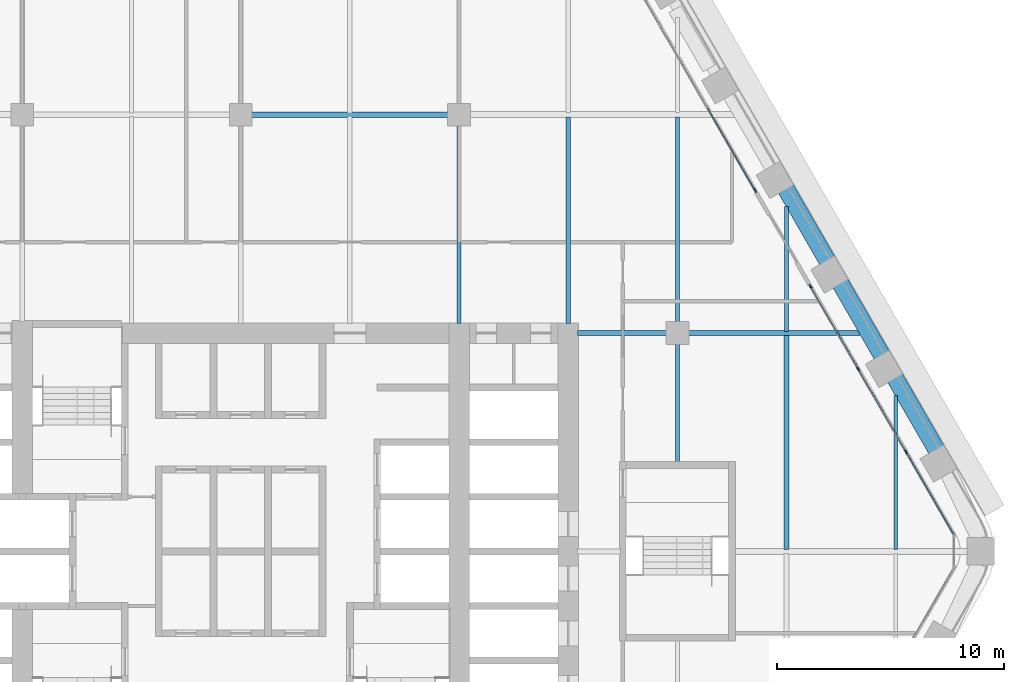
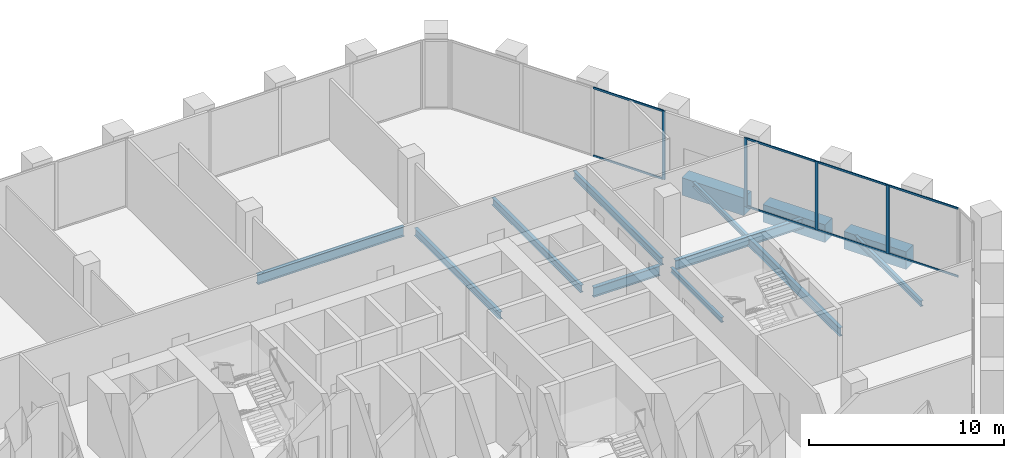
# One storey, part 8 of 22: 13 beams, 12 members, 2 elements without a shape of their own.
"""IFC4 building model written with IfcOpenShell, lengths in metres."""

from ifc_helpers import new_model, si_unit, direction, frame, origin, origin_2d, place, context, subcontext, project, spatial, rectangle, i_section, extrude, material, material_profile, profile_set, type_object, element, aggregate, save


model = new_model("IFC4")

# Units and contexts
model_context = context("Model", 3, precision=1e-05, world=origin(), true_north=direction((0.0, 1.0)))
body_context = subcontext(model_context, "Body", "Model", "MODEL_VIEW")
ifc_project = project(units=[si_unit("LENGTHUNIT", "METRE"), si_unit("AREAUNIT", "SQUARE_METRE"), si_unit("VOLUMEUNIT", "CUBIC_METRE"), si_unit("PLANEANGLEUNIT", "RADIAN"), si_unit("MASSUNIT", "GRAM", prefix="KILO")], contexts=[model_context])

# Site, building, storey
site_placement = place(None, origin())
site = spatial("IfcSite", under=ifc_project, at=site_placement, CompositionType="ELEMENT")
building_placement = place(site_placement, origin())
building = spatial("IfcBuilding", under=site, at=building_placement, Name="Kolab Exchange Tower", CompositionType="ELEMENT")
storey_placement = place(building_placement, frame((0.0, 0.0, 82.39990234375)))
storey = spatial("IfcBuildingStorey", under=building, at=storey_placement, Name="L15", CompositionType="ELEMENT", Elevation=82.39990234375)

# Beams
ifc_material_1 = material(Name="Steel S355", Category="steel")
ifc_material_profile_1 = material_profile(ifc_material_1, i_section(OverallWidth=0.1650390625, OverallDepth=0.31005859375, WebThickness=0.005859375, FlangeThickness=0.009765625, at=origin_2d()), Name="W310X39")
ifc_profile_set_1 = profile_set([ifc_material_profile_1], Name="Steel S355")
beam_type_1 = type_object("IfcBeamType", Name="FLOOR BEAM W310X39", PredefinedType="BEAM", material=ifc_profile_set_1)
beam_1_placement = place(storey_placement, frame((19.199951171875, 3.909912109375, -0.35498046875), z_axis=(0.0, 1.0, 0.0), x_axis=(-1.0, 0.0, 0.0)))
element("IfcBeam", 1, at=beam_1_placement, inside=storey, type_object=beam_type_1, Name="beam/L15/fr/043", PredefinedType="BEAM", context=body_context, shape_type="SweptSolid", body=[
    extrude(i_section(OverallWidth=0.1650390625, OverallDepth=0.31005859375, WebThickness=0.005859375, FlangeThickness=0.009765625, at=origin_2d()), origin(), (0.0, 0.0, 1.0), 5.22998046875),
])
beam_2_placement = place(storey_placement, frame((24.0, 9.674072265625, -0.35498046875), z_axis=(0.0, 1.0, 0.0), x_axis=(-1.0, 0.0, 0.0)))
element("IfcBeam", 2, at=beam_2_placement, inside=storey, type_object=beam_type_1, Name="beam/L15/fr/049", PredefinedType="BEAM", context=body_context, shape_type="SweptSolid", body=[
    extrude(i_section(OverallWidth=0.1650390625, OverallDepth=0.31005859375, WebThickness=0.005859375, FlangeThickness=0.009765625, at=origin_2d()), origin(), (0.0, 0.0, 1.0), 5.49365234375),
])
ifc_material_profile_2 = material_profile(ifc_material_1, i_section(OverallWidth=0.1708984375, OverallDepth=0.35498046875, WebThickness=0.007080078125, FlangeThickness=0.01171875, at=origin_2d()), Name="W360X51")
ifc_profile_set_2 = profile_set([ifc_material_profile_2], Name="Steel S355")
beam_type_2 = type_object("IfcBeamType", Name="FLOOR BEAM W360X51", PredefinedType="BEAM", material=ifc_profile_set_2)
beam_3_placement = place(storey_placement, frame((28.800048828125, 0.0869140625, -0.37744140625), z_axis=(0.0, 1.0, 0.0), x_axis=(-1.0, 0.0, 0.0)))
element("IfcBeam", 3, at=beam_3_placement, inside=storey, type_object=beam_type_2, Name="beam/L15/fr/051", PredefinedType="BEAM", context=body_context, shape_type="SweptSolid", body=[
    extrude(i_section(OverallWidth=0.1708984375, OverallDepth=0.35498046875, WebThickness=0.007080078125, FlangeThickness=0.01171875, at=origin_2d()), origin(), (0.0, 0.0, 1.0), 6.766845703125),
])
ifc_material_profile_3 = material_profile(ifc_material_1, i_section(OverallWidth=0.18994140625, OverallDepth=0.45703125, WebThickness=0.009033203125, FlangeThickness=0.014404296875, at=origin_2d()), Name="W460X74")
ifc_profile_set_3 = profile_set([ifc_material_profile_3], Name="Steel S355")
beam_type_3 = type_object("IfcBeamType", Name="FLOOR BEAM W460X74", PredefinedType="BEAM", material=ifc_profile_set_3)
beam_4_placement = place(storey_placement, frame((9.60009765625, 10.010009765625, -0.428466796875), z_axis=(0.0, 1.0, 0.0), x_axis=(-1.0, 0.0, 0.0)))
element("IfcBeam", 4, at=beam_4_placement, inside=storey, type_object=beam_type_3, Name="beam/L15/fr/034", PredefinedType="BEAM", context=body_context, shape_type="SweptSolid", body=[
    extrude(i_section(OverallWidth=0.18994140625, OverallDepth=0.45703125, WebThickness=0.009033203125, FlangeThickness=0.014404296875, at=origin_2d()), origin(), (0.0, 0.0, 1.0), 8.72998046875),
])
beam_5_placement = place(storey_placement, frame((14.39990234375, 10.010009765625, -0.428466796875), z_axis=(0.0, 1.0, 0.0), x_axis=(-1.0, 0.0, 0.0)))
element("IfcBeam", 5, at=beam_5_placement, inside=storey, type_object=beam_type_3, Name="beam/L15/fr/038", PredefinedType="BEAM", context=body_context, shape_type="SweptSolid", body=[
    extrude(i_section(OverallWidth=0.18994140625, OverallDepth=0.45703125, WebThickness=0.009033203125, FlangeThickness=0.014404296875, at=origin_2d()), origin(), (0.0, 0.0, 1.0), 9.096435546875),
])
beam_6_placement = place(storey_placement, frame((19.199951171875, 10.06005859375, -0.428466796875), z_axis=(0.0, 1.0, 0.0), x_axis=(-1.0, 0.0, 0.0)))
element("IfcBeam", 6, at=beam_6_placement, inside=storey, type_object=beam_type_3, Name="beam/L15/fr/044", PredefinedType="BEAM", context=body_context, shape_type="SweptSolid", body=[
    extrude(i_section(OverallWidth=0.18994140625, OverallDepth=0.45703125, WebThickness=0.009033203125, FlangeThickness=0.014404296875, at=origin_2d()), origin(), (0.0, 0.0, 1.0), 9.04638671875),
])
ifc_material_profile_4 = material_profile(ifc_material_1, i_section(OverallWidth=0.208984375, OverallDepth=0.532958984375, WebThickness=0.01025390625, FlangeThickness=0.015625, at=origin_2d()), Name="W530X92")
ifc_profile_set_4 = profile_set([ifc_material_profile_4], Name="Steel S355")
beam_type_4 = type_object("IfcBeamType", Name="FLOOR BEAM W530X92", PredefinedType="BEAM", material=ifc_profile_set_4)
beam_7_placement = place(storey_placement, frame((24.0, 0.0869140625, -0.46630859375), z_axis=(0.0, 1.0, 0.0), x_axis=(-1.0, 0.0, 0.0)))
element("IfcBeam", 7, at=beam_7_placement, inside=storey, type_object=beam_type_4, Name="beam/L15/fr/048", PredefinedType="BEAM", context=body_context, shape_type="SweptSolid", body=[
    extrude(i_section(OverallWidth=0.208984375, OverallDepth=0.532958984375, WebThickness=0.01025390625, FlangeThickness=0.015625, at=origin_2d()), origin(), (0.0, 0.0, 1.0), 9.43896484375),
])
ifc_material_profile_5 = material_profile(ifc_material_1, i_section(OverallWidth=0.22802734375, OverallDepth=0.60791015625, WebThickness=0.01123046875, FlangeThickness=0.017333984375, at=origin_2d()), Name="W610X113")
ifc_profile_set_5 = profile_set([ifc_material_profile_5], Name="Steel S355")
beam_type_5 = type_object("IfcBeamType", Name="FLOOR GIRDER W610X113", PredefinedType="BEAM", material=ifc_profile_set_5)
beam_8_placement = place(storey_placement, frame((0.4599609375, 19.199951171875, -0.50390625), z_axis=(1.0, 0.0, 0.0), x_axis=(0.0, 1.0, 0.0)))
element("IfcBeam", 8, at=beam_8_placement, inside=storey, type_object=beam_type_5, Name="beam/L15/gd/011", PredefinedType="BEAM", context=body_context, shape_type="SweptSolid", body=[
    extrude(i_section(OverallWidth=0.22802734375, OverallDepth=0.60791015625, WebThickness=0.01123046875, FlangeThickness=0.017333984375, at=origin_2d()), origin(), (0.0, 0.0, 1.0), 8.679931640625),
])
beam_9_placement = place(storey_placement, frame((14.81005859375, 9.60009765625, -0.50390625), z_axis=(1.0, 0.0, 0.0), x_axis=(0.0, 1.0, 0.0)))
element("IfcBeam", 9, at=beam_9_placement, inside=storey, type_object=beam_type_5, Name="beam/L15/gd/016", PredefinedType="BEAM", context=body_context, shape_type="SweptSolid", body=[
    extrude(i_section(OverallWidth=0.22802734375, OverallDepth=0.60791015625, WebThickness=0.01123046875, FlangeThickness=0.017333984375, at=origin_2d()), origin(), (0.0, 0.0, 1.0), 3.929931640625),
])
beam_10_placement = place(storey_placement, frame((19.659912109375, 9.60009765625, -0.50390625), z_axis=(1.0, 0.0, 0.0), x_axis=(0.0, 1.0, 0.0)))
element("IfcBeam", 10, at=beam_10_placement, inside=storey, type_object=beam_type_5, Name="beam/L15/gd/018", PredefinedType="BEAM", context=body_context, shape_type="SweptSolid", body=[
    extrude(i_section(OverallWidth=0.22802734375, OverallDepth=0.60791015625, WebThickness=0.01123046875, FlangeThickness=0.017333984375, at=origin_2d()), origin(), (0.0, 0.0, 1.0), 7.571533203125),
])
ifc_material_2 = material(Name="Concrete C70/85", Category="concrete")
ifc_material_profile_6 = material_profile(ifc_material_2, rectangle(XDim=0.75, YDim=1.10009765625, at=origin_2d()), Name="RC750X1100")
ifc_profile_set_6 = profile_set([ifc_material_profile_6], Name="Concrete C70/85")
beam_type_6 = type_object("IfcBeamType", Name="SPANDREL BEAM 750X1100 C70/85", PredefinedType="BEAM", material=ifc_profile_set_6)
beam_11_placement = place(storey_placement, frame((23.955322265625, 15.955322265625, -0.75), z_axis=(0.499963655964, -0.866046386007, 0.0), x_axis=(0.866046386007, 0.499963655964, 0.0)))
element("IfcBeam", 11, at=beam_11_placement, inside=storey, type_object=beam_type_6, Name="beam/L15/sp/F2-04", PredefinedType="BEAM", context=body_context, shape_type="SweptSolid", body=[
    extrude(rectangle(XDim=0.75, YDim=1.10009765625, at=origin_2d()), origin(), (0.0, 0.0, 1.0), 3.679931640625),
])
for number, where, z_axis, x_axis, name in (
    (12, (26.355224609375, 11.79833984375, -0.75), (0.500013413428, -0.866017659399, 0.0), (0.866017659399, 0.500013413428, 0.0), "beam/L15/sp/F2-05"),
    (13, (28.755126953125, 7.641357421875, -0.75), (0.500013413428, -0.866017659399, 0.0), (0.866017659399, 0.500013413428, 0.0), "beam/L15/sp/F2-06"),
):
    element("IfcBeam", number, at=place(storey_placement, frame(where, z_axis=z_axis, x_axis=x_axis)), inside=storey, type_object=beam_type_6, Name=name, PredefinedType="BEAM", context=body_context, shape_type="SweptSolid", body=[
        extrude(rectangle(XDim=0.75, YDim=1.10009765625, at=origin_2d()), origin(), (0.0, 0.0, 1.0), 3.68017578125),
    ])

# Curtain wall, member
ifc_material_3 = material(Name="Aluminium EN AW-6063 T6", Category="aluminium")
curtain_wall_type = type_object("IfcCurtainWallType", Name="UNITISED LOWER MID ZONE CURTAIN WALL", PredefinedType="NOTDEFINED", material=ifc_material_3)
curtain_wall_1_placement = place(storey_placement, origin())
curtain_wall_1 = element("IfcCurtainWall", 14, at=curtain_wall_1_placement, inside=storey, type_object=curtain_wall_type, Name="cw/L15/F2-1", PredefinedType="NOTDEFINED")
ifc_material_profile_7 = material_profile(ifc_material_3, rectangle(XDim=0.06005859375, YDim=0.179931640625, at=origin_2d()), Name="RECT 60X180")
ifc_profile_set_7 = profile_set([ifc_material_profile_7], Name="Aluminium EN AW-6063 T6")
member_type_1 = type_object("IfcMemberType", Name="UNITISED LOWER MID ZONE MULLION 60 X 180", PredefinedType="MULLION", material=ifc_profile_set_7)
member_1_placement = place(storey_placement, frame((22.61669921875, 15.86376953125, 0.0), z_axis=(0.0, 0.0, 1.0), x_axis=(0.866025393644, 0.500000017564, 0.0)))
member_1 = element("IfcMember", 15, at=member_1_placement, type_object=member_type_1, Name="CW2 mullion 4", PredefinedType="MULLION", context=body_context, shape_type="SweptSolid", body=[
    extrude(rectangle(XDim=0.06005859375, YDim=0.179931640625, at=origin_2d()), origin(), (0.0, 0.0, 1.0), 4.300048828125),
])

# Curtain wall, members
curtain_wall_2_placement = place(storey_placement, origin())
curtain_wall_2 = element("IfcCurtainWall", 16, at=curtain_wall_2_placement, inside=storey, type_object=curtain_wall_type, Name="cw/L15/F2-2", PredefinedType="NOTDEFINED")
member_2_placement = place(storey_placement, frame((25.046630859375, 11.65478515625, 0.0), z_axis=(0.0, 0.0, 1.0), x_axis=(0.866025427826, 0.499999958358, 0.0)))
member_2 = element("IfcMember", 17, at=member_2_placement, type_object=member_type_1, Name="CW2 mullion 1", PredefinedType="MULLION", context=body_context, shape_type="SweptSolid", body=[
    extrude(rectangle(XDim=0.06005859375, YDim=0.179931640625, at=origin_2d()), origin(), (0.0, 0.0, 1.0), 4.300048828125),
])
member_3_placement = place(storey_placement, frame((27.14306640625, 8.02392578125, 0.0), z_axis=(0.0, 0.0, 1.0), x_axis=(0.866025427826, 0.499999958358, 0.0)))
member_3 = element("IfcMember", 18, at=member_3_placement, type_object=member_type_1, Name="CW2 mullion 2", PredefinedType="MULLION", context=body_context, shape_type="SweptSolid", body=[
    extrude(rectangle(XDim=0.06005859375, YDim=0.179931640625, at=origin_2d()), origin(), (0.0, 0.0, 1.0), 4.300048828125),
])
member_4_placement = place(storey_placement, frame((29.25439453125, 4.366943359375, 0.0), z_axis=(0.0, 0.0, 1.0), x_axis=(0.866025427826, 0.499999958358, 0.0)))
member_4 = element("IfcMember", 19, at=member_4_placement, type_object=member_type_1, Name="CW2 mullion 3", PredefinedType="MULLION", context=body_context, shape_type="SweptSolid", body=[
    extrude(rectangle(XDim=0.06005859375, YDim=0.179931640625, at=origin_2d()), origin(), (0.0, 0.0, 1.0), 4.300048828125),
])

# Member
ifc_material_profile_8 = material_profile(ifc_material_3, rectangle(XDim=0.06005859375, YDim=0.1201171875, at=origin_2d()), Name="RECT 60X120")
ifc_profile_set_8 = profile_set([ifc_material_profile_8], Name="Aluminium EN AW-6063 T6")
member_type_2 = type_object("IfcMemberType", Name="UNITISED LOWER MID ZONE TRANSOM 60 X 120", PredefinedType="USERDEFINED", material=ifc_profile_set_8)
member_5_placement = place(storey_placement, frame((20.535400390625, 19.46875, 0.030029296875), z_axis=(0.499957688808, -0.866049830784, 0.0), x_axis=(0.866049830784, 0.499957688808, 0.0)))
member_5 = element("IfcMember", 20, at=member_5_placement, type_object=member_type_2, Name="CW2 transom 3.1", ObjectType="TRANSOM", PredefinedType="USERDEFINED", context=body_context, shape_type="SweptSolid", body=[
    extrude(rectangle(XDim=0.06005859375, YDim=0.1201171875, at=origin_2d()), origin(), (0.0, 0.0, 1.0), 4.132568359375),
])

member_6_placement = place(storey_placement, frame((20.535400390625, 19.46875, 4.27001953125), z_axis=(0.499957688808, -0.866049830784, 0.0), x_axis=(0.866049830784, 0.499957688808, 0.0)))
member_6 = element("IfcMember", 21, at=member_6_placement, type_object=member_type_2, Name="CW2 transom 3.2", ObjectType="TRANSOM", PredefinedType="USERDEFINED", context=body_context, shape_type="SweptSolid", body=[
    extrude(rectangle(XDim=0.06005859375, YDim=0.1201171875, at=origin_2d()), origin(), (0.0, 0.0, 1.0), 4.132568359375),
])

aggregate(curtain_wall_1, [member_1, member_5, member_6])

member_7_placement = place(storey_placement, frame((25.061767578125, 11.62890625, 0.030029296875), z_axis=(0.499957688808, -0.866049830784, 0.0), x_axis=(0.866049830784, 0.499957688808, 0.0)))
member_7 = element("IfcMember", 22, at=member_7_placement, type_object=member_type_2, Name="CW2 transom 1.1", ObjectType="TRANSOM", PredefinedType="USERDEFINED", context=body_context, shape_type="SweptSolid", body=[
    extrude(rectangle(XDim=0.06005859375, YDim=0.1201171875, at=origin_2d()), origin(), (0.0, 0.0, 1.0), 4.132568359375),
])

member_8_placement = place(storey_placement, frame((25.061767578125, 11.62890625, 4.27001953125), z_axis=(0.499957688808, -0.866049830784, 0.0), x_axis=(0.866049830784, 0.499957688808, 0.0)))
member_8 = element("IfcMember", 23, at=member_8_placement, type_object=member_type_2, Name="CW2 transom 1.2", ObjectType="TRANSOM", PredefinedType="USERDEFINED", context=body_context, shape_type="SweptSolid", body=[
    extrude(rectangle(XDim=0.06005859375, YDim=0.1201171875, at=origin_2d()), origin(), (0.0, 0.0, 1.0), 4.132568359375),
])

member_9_placement = place(storey_placement, frame((27.157958984375, 7.997802734375, 0.030029296875), z_axis=(0.49999322259, -0.866029316688, 0.0), x_axis=(0.866029316688, 0.49999322259, 0.0)))
member_9 = element("IfcMember", 24, at=member_9_placement, type_object=member_type_2, Name="CW2 transom 2.1", ObjectType="TRANSOM", PredefinedType="USERDEFINED", context=body_context, shape_type="SweptSolid", body=[
    extrude(rectangle(XDim=0.06005859375, YDim=0.1201171875, at=origin_2d()), origin(), (0.0, 0.0, 1.0), 4.16259765625),
])

member_10_placement = place(storey_placement, frame((27.157958984375, 7.997802734375, 4.27001953125), z_axis=(0.49999322259, -0.866029316688, 0.0), x_axis=(0.866029316688, 0.49999322259, 0.0)))
member_10 = element("IfcMember", 25, at=member_10_placement, type_object=member_type_2, Name="CW2 transom 2.2", ObjectType="TRANSOM", PredefinedType="USERDEFINED", context=body_context, shape_type="SweptSolid", body=[
    extrude(rectangle(XDim=0.06005859375, YDim=0.1201171875, at=origin_2d()), origin(), (0.0, 0.0, 1.0), 4.16259765625),
])

member_11_placement = place(storey_placement, frame((29.269287109375, 4.3408203125, 0.030029296875), z_axis=(0.500027577057, -0.866009481578, 0.0), x_axis=(0.866009481578, 0.500027577057, 0.0)))
member_11 = element("IfcMember", 26, at=member_11_placement, type_object=member_type_2, Name="CW2 transom 3.1", ObjectType="TRANSOM", PredefinedType="USERDEFINED", context=body_context, shape_type="SweptSolid", body=[
    extrude(rectangle(XDim=0.06005859375, YDim=0.1201171875, at=origin_2d()), origin(), (0.0, 0.0, 1.0), 4.132568359375),
])

member_12_placement = place(storey_placement, frame((29.269287109375, 4.3408203125, 4.27001953125), z_axis=(0.500027577057, -0.866009481578, 0.0), x_axis=(0.866009481578, 0.500027577057, 0.0)))
member_12 = element("IfcMember", 27, at=member_12_placement, type_object=member_type_2, Name="CW2 transom 3.2", ObjectType="TRANSOM", PredefinedType="USERDEFINED", context=body_context, shape_type="SweptSolid", body=[
    extrude(rectangle(XDim=0.06005859375, YDim=0.1201171875, at=origin_2d()), origin(), (0.0, 0.0, 1.0), 4.132568359375),
])

aggregate(curtain_wall_2, [member_2, member_3, member_4, member_7, member_8, member_9, member_10, member_11, member_12])

save(model, "model.ifc")
